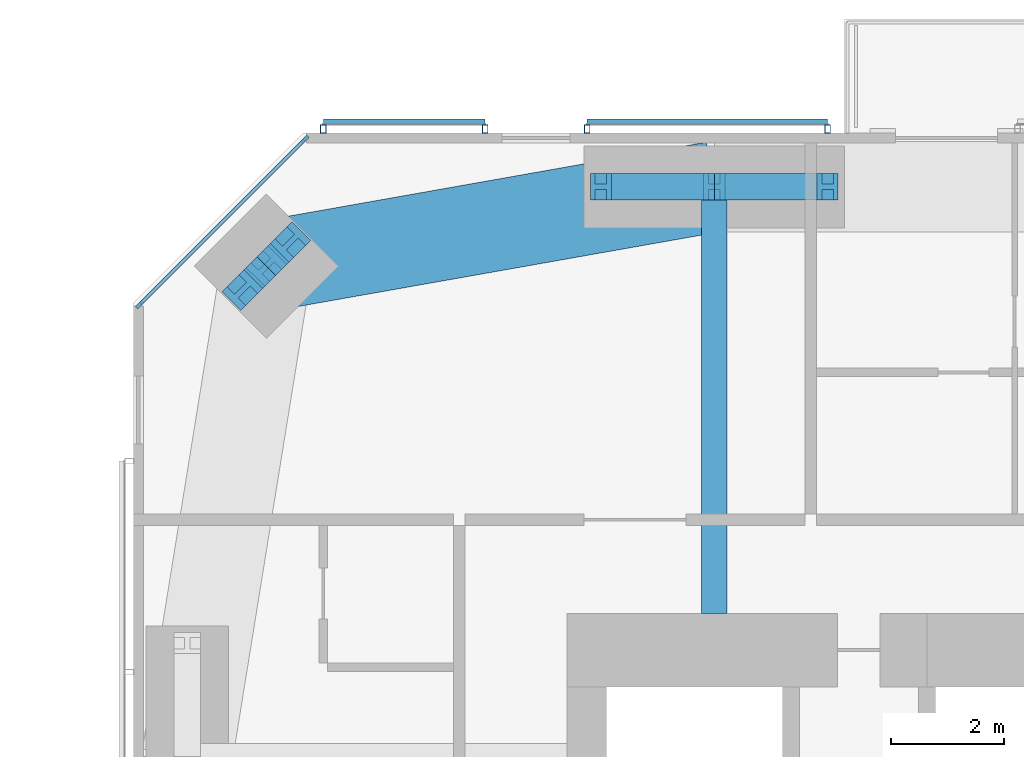
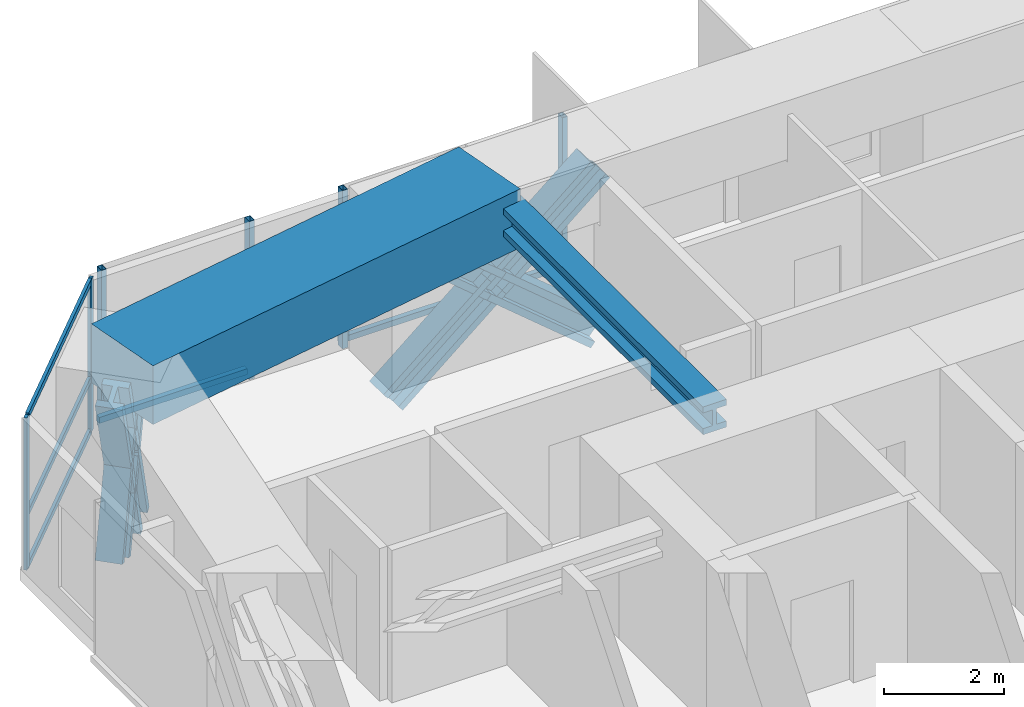
# One storey, part 10 of 22: 19 members, 2 beams, 3 elements without a shape of their own.
"""IFC4 building model written with IfcOpenShell, lengths in metres."""

import ifcopenshell
import ifcopenshell.guid

model = None  # the IFC model being written
_history = None  # IfcOwnerHistory: only IFC2X3 demands one
_inside = {}  # id of a spatial element -> (the spatial element, [elements in it])
_under = {}  # id of a project, library or spatial element -> (it, [spatial elements below it])
_declared = {}  # id of a project -> (the project, [libraries it declares])
_typed = {}  # id of a type object -> (the type object, [elements of that type])
_made_of = {}  # id of a material, layer set ... -> (it, [elements and type objects made of it])


def new_model(schema):
    """Start an empty IFC model of exactly this schema.

    Asked for "IFC4X3", IfcOpenShell would pick the latest addendum, in which some entities
    have other attributes; the version numbers below select the first issue.
    IFC2X3 requires an IfcOwnerHistory on every rooted entity: one is made here for all.
    """
    global model, _history
    if schema == "IFC4X3":
        model = ifcopenshell.file(schema_version=(4, 3, 0, 0))
    else:
        model = ifcopenshell.file(schema=schema)
    _inside.clear()
    _under.clear()
    _declared.clear()
    _typed.clear()
    _made_of.clear()
    _history = None
    if model.schema == "IFC2X3":
        org = make("IfcOrganization", Name="unknown")
        user = make(
            "IfcPersonAndOrganization",
            ThePerson=make("IfcPerson", FamilyName="unknown"),
            TheOrganization=org,
        )
        app = make(
            "IfcApplication",
            ApplicationDeveloper=org,
            Version="unknown",
            ApplicationFullName="unknown",
            ApplicationIdentifier="unknown",
        )
        _history = make(
            "IfcOwnerHistory",
            OwningUser=user,
            OwningApplication=app,
            ChangeAction="ADDED",
            CreationDate=0,
        )
    return model


def make(cls, **values):
    """One entity of the class cls with the attributes given. An attribute that is None is left unset."""
    return model.create_entity(
        cls, **{name: value for name, value in values.items() if value is not None}
    )


def rooted(cls, **values):
    """An entity with a GlobalId (a new one), such as an element, a storey or a relation."""
    return make(cls, GlobalId=ifcopenshell.guid.new(), OwnerHistory=_history, **values)


def si_unit(unit_type, name, prefix=None):
    """IfcSIUnit, for example si_unit("LENGTHUNIT", "METRE", prefix="MILLI")."""
    return make("IfcSIUnit", UnitType=unit_type, Prefix=prefix, Name=name)


def assignment(units):
    """IfcUnitAssignment: the units of a project."""
    return None if units is None else make("IfcUnitAssignment", Units=units)


def point(xyz):
    """IfcCartesianPoint."""
    return None if xyz is None else make("IfcCartesianPoint", Coordinates=xyz)


def direction(xyz):
    """IfcDirection."""
    return None if xyz is None else make("IfcDirection", DirectionRatios=xyz)


def frame(location, z_axis=None, x_axis=None):
    """IfcAxis2Placement3D, a coordinate frame: its origin and axes. An axis left out is left unset."""
    return make(
        "IfcAxis2Placement3D",
        Location=point(location),
        Axis=direction(z_axis),
        RefDirection=direction(x_axis),
    )


def frame_2d(location, x_axis=None):
    """IfcAxis2Placement2D, a coordinate frame in the plane: its origin and x axis."""
    return make(
        "IfcAxis2Placement2D", Location=point(location), RefDirection=direction(x_axis)
    )


def origin():
    """The frame at (0, 0, 0) with its axes left unset."""
    return frame((0.0, 0.0, 0.0))


def origin_2d():
    """The frame at (0, 0) in the plane with its x axis left unset."""
    return frame_2d((0.0, 0.0))


def place(relative_to, where):
    """IfcLocalPlacement: puts the frame where relative to a parent placement (None: the world)."""
    return make(
        "IfcLocalPlacement", PlacementRelTo=relative_to, RelativePlacement=where
    )


def context(
    kind, dimensions, precision=None, world=None, true_north=None, identifier=None
):
    """IfcGeometricRepresentationContext, for example the 3D "Model" context."""
    return make(
        "IfcGeometricRepresentationContext",
        ContextIdentifier=identifier,
        ContextType=kind,
        CoordinateSpaceDimension=dimensions,
        Precision=precision,
        WorldCoordinateSystem=world,
        TrueNorth=true_north,
    )


def subcontext(parent, identifier, kind, view, scale=None):
    """IfcGeometricRepresentationSubContext, for example "Body" below "Model"."""
    return make(
        "IfcGeometricRepresentationSubContext",
        ContextIdentifier=identifier,
        ContextType=kind,
        ParentContext=parent,
        TargetScale=scale,
        TargetView=view,
    )


def project(units=None, contexts=None):
    """IfcProject with its units and contexts."""
    return rooted(
        "IfcProject",
        Name="project",
        RepresentationContexts=contexts,
        UnitsInContext=assignment(units),
    )


def spatial(cls, under=None, at=None, **own):
    """A site, building, storey or space (cls), placed at a placement, below another one or the project."""
    s = rooted(cls, ObjectPlacement=at, **own)
    if under is not None:
        _under.setdefault(under.id(), (under, []))[1].append(s)
    return s


def profile(cls, at=None, kind="AREA", **sizes):
    """A parametric profile (cls). Its sizes go by their IFC names, for example OverallWidth=200.0."""
    return make(cls, ProfileType=kind, Position=at, **sizes)


def rectangle(**sizes):
    """IfcRectangleProfileDef."""
    return profile("IfcRectangleProfileDef", **sizes)


def hollow_rectangle(**sizes):
    """IfcRectangleHollowProfileDef."""
    return profile("IfcRectangleHollowProfileDef", **sizes)


def i_section(**sizes):
    """IfcIShapeProfileDef."""
    return profile("IfcIShapeProfileDef", **sizes)


def extrude(swept, where, along, depth):
    """IfcExtrudedAreaSolid: the profile swept, set in the frame where, extruded along a direction by depth."""
    return make(
        "IfcExtrudedAreaSolid",
        SweptArea=swept,
        Position=where,
        ExtrudedDirection=direction(along),
        Depth=depth,
    )


def shape(context_of_items, identifier, shape_type, items):
    """IfcShapeRepresentation: the items that make up one representation, for example the "Body"."""
    return make(
        "IfcShapeRepresentation",
        ContextOfItems=context_of_items,
        RepresentationIdentifier=identifier,
        RepresentationType=shape_type,
        Items=items,
    )


def material(Name=None, Category=None):
    """IfcMaterial."""
    return make("IfcMaterial", Name=Name, Category=Category)


def material_profile(
    of_material, cross_section, Name=None, Category=None, Priority=None
):
    """IfcMaterialProfile: a cross section and its material."""
    return make(
        "IfcMaterialProfile",
        Name=Name,
        Material=of_material,
        Profile=cross_section,
        Priority=Priority,
        Category=Category,
    )


def profile_set(profiles, Name=None, composite=None):
    """IfcMaterialProfileSet."""
    return make(
        "IfcMaterialProfileSet",
        Name=Name,
        MaterialProfiles=profiles,
        CompositeProfile=composite,
    )


def made_of(thing, what):
    """Note that an element or type object is made of a material, layer set ...; save() writes the relation."""
    if what is not None:
        _made_of.setdefault(what.id(), (what, []))[1].append(thing)
    return thing


def type_object(cls, material=None, **own):
    """A type object (cls), such as IfcWallType, which elements share."""
    return made_of(rooted(cls, **own), material)


def element(
    cls,
    number,
    at=None,
    inside=None,
    cuts=None,
    type_object=None,
    material=None,
    context=None,
    identifier="Body",
    shape_type=None,
    held_by="IfcProductDefinitionShape",
    body=None,
    shapes=None,
    **own,
):
    """One element of the class cls, such as IfcWall. Its Tag is "e" and its number.

    at: its placement. inside: the storey or other place that contains it. cuts: it is an
    opening in that element (IfcRelVoidsElement). A single representation is given by context,
    identifier, shape_type and body (its items); several are given by shapes. held_by: the class
    of the entity that holds the representations. save() writes the other relations.
    """
    e = rooted(cls, Tag="e%d" % number, ObjectPlacement=at, **own)
    if body is not None:
        shapes = [shape(context, identifier, shape_type, body)]
    if shapes is not None:
        e.Representation = make(held_by, Representations=shapes)
    if inside is not None:
        _inside.setdefault(inside.id(), (inside, []))[1].append(e)
    if cuts is not None:
        rooted(
            "IfcRelVoidsElement", RelatingBuildingElement=cuts, RelatedOpeningElement=e
        )
    if type_object is not None:
        _typed.setdefault(type_object.id(), (type_object, []))[1].append(e)
    return made_of(e, material)


def aggregate(whole, parts):
    """IfcRelAggregates: a whole, such as a stair, and the parts it consists of."""
    return rooted("IfcRelAggregates", RelatingObject=whole, RelatedObjects=parts)


def save(model, path):
    """Write the relations noted so far, then the file.

    IfcRelAggregates (storeys below a building ...), IfcRelContainedInSpatialStructure (elements
    in a storey), IfcRelDefinesByType, IfcRelAssociatesMaterial and IfcRelDeclares: one each for
    every whole, place, type object, material and project.
    """
    for whole, parts in _under.values():
        aggregate(whole, parts)
    for where, things in _inside.values():
        rooted(
            "IfcRelContainedInSpatialStructure",
            RelatedElements=things,
            RelatingStructure=where,
        )
    for kind, things in _typed.values():
        rooted("IfcRelDefinesByType", RelatedObjects=things, RelatingType=kind)
    for what, things in _made_of.values():
        rooted("IfcRelAssociatesMaterial", RelatedObjects=things, RelatingMaterial=what)
    for by, libraries in _declared.values():
        rooted("IfcRelDeclares", RelatingContext=by, RelatedDefinitions=libraries)
    model.write(path)


model = new_model("IFC4")

# Units and contexts
model_context = context("Model", 3, precision=1e-05, world=origin(), true_north=direction((0.0, 1.0)))
body_context = subcontext(model_context, "Body", "Model", "MODEL_VIEW")
ifc_project = project(units=[si_unit("LENGTHUNIT", "METRE"), si_unit("AREAUNIT", "SQUARE_METRE"), si_unit("VOLUMEUNIT", "CUBIC_METRE"), si_unit("PLANEANGLEUNIT", "RADIAN"), si_unit("MASSUNIT", "GRAM", prefix="KILO")], contexts=[model_context])

# Site, building, storey
site_placement = place(None, origin())
site = spatial("IfcSite", under=ifc_project, at=site_placement, CompositionType="ELEMENT")
building_placement = place(site_placement, origin())
building = spatial("IfcBuilding", under=site, at=building_placement, Name="Jalousie Tower", CompositionType="ELEMENT")
storey_placement = place(building_placement, frame((0.0, 0.0, 174.449951171875)))
storey = spatial("IfcBuildingStorey", under=building, at=storey_placement, Name="L47", CompositionType="ELEMENT", Elevation=174.449951171875)

# Curtain wall, members
ifc_material_1 = material(Name="Aluminium curtain wall", Category="aluminium")
curtain_wall_type_1 = type_object("IfcCurtainWallType", Name="CORNER WINDOW WALL", PredefinedType="USERDEFINED", material=ifc_material_1)
curtain_wall_1_placement = place(storey_placement, origin())
curtain_wall_1 = element("IfcCurtainWall", 1, at=curtain_wall_1_placement, inside=storey, type_object=curtain_wall_type_1, Name="Corner Window Wall L47 6", ObjectType="CORNER WINDOW WALL", PredefinedType="USERDEFINED")
ifc_material_2 = material(Name="Aluminium mullion", Category="aluminium")
ifc_material_profile_1 = material_profile(ifc_material_2, rectangle(XDim=0.06005859375, YDim=0.14990234375, at=origin_2d()), Name="MULLION 60x150")
ifc_profile_set_1 = profile_set([ifc_material_profile_1], Name="Aluminium mullion")
member_type_1 = type_object("IfcMemberType", Name="CORNER WINDOW WALL MULLION", PredefinedType="MULLION", material=ifc_profile_set_1)
member_1_placement = place(storey_placement, frame((15.030029296875, 35.891357421875, 0.0), z_axis=(0.0, 0.0, 1.0), x_axis=(0.707106781187, -0.707106781187, 0.0)))
member_1 = element("IfcMember", 2, at=member_1_placement, type_object=member_type_1, Name="CW-C mullion 1", PredefinedType="MULLION", context=body_context, shape_type="SweptSolid", body=[
    extrude(rectangle(XDim=0.06005859375, YDim=0.14990234375, at=origin_2d()), origin(), (0.0, 0.0, 1.0), 3.110107421875),
])
member_2_placement = place(storey_placement, frame((12.108642578125, 32.969970703125, 0.0), z_axis=(0.0, 0.0, 1.0), x_axis=(0.707106781187, -0.707106781187, 0.0)))
member_2 = element("IfcMember", 3, at=member_2_placement, type_object=member_type_1, Name="CW-C mullion 2", PredefinedType="MULLION", context=body_context, shape_type="SweptSolid", body=[
    extrude(rectangle(XDim=0.06005859375, YDim=0.14990234375, at=origin_2d()), origin(), (0.0, 0.0, 1.0), 3.110107421875),
])
ifc_material_3 = material(Name="Aluminium transom", Category="aluminium")
ifc_material_profile_2 = material_profile(ifc_material_3, rectangle(XDim=0.06005859375, YDim=0.1201171875, at=origin_2d()), Name="TRANSOM 60x120")
ifc_profile_set_2 = profile_set([ifc_material_profile_2], Name="Aluminium transom")
member_type_2 = type_object("IfcMemberType", Name="CORNER WINDOW WALL TRANSOM", PredefinedType="USERDEFINED", material=ifc_profile_set_2)
member_3_placement = place(storey_placement, frame((15.0087890625, 35.8701171875, 0.030029296875), z_axis=(-0.707106781187, -0.707106781187, 0.0), x_axis=(0.707106781187, -0.707106781187, 0.0)))
member_3 = element("IfcMember", 4, at=member_3_placement, type_object=member_type_2, Name="CW-C transom 1.1", ObjectType="TRANSOM", PredefinedType="USERDEFINED", context=body_context, shape_type="SweptSolid", body=[
    extrude(rectangle(XDim=0.06005859375, YDim=0.1201171875, at=origin_2d()), origin(), (0.0, 0.0, 1.0), 4.0712890625),
])
member_4_placement = place(storey_placement, frame((15.0087890625, 35.8701171875, 1.10009765625), z_axis=(-0.707106781187, -0.707106781187, 0.0), x_axis=(0.707106781187, -0.707106781187, 0.0)))
member_4 = element("IfcMember", 5, at=member_4_placement, type_object=member_type_2, Name="CW-C transom 1.2", ObjectType="TRANSOM", PredefinedType="USERDEFINED", context=body_context, shape_type="SweptSolid", body=[
    extrude(rectangle(XDim=0.06005859375, YDim=0.1201171875, at=origin_2d()), origin(), (0.0, 0.0, 1.0), 4.0712890625),
])
member_5_placement = place(storey_placement, frame((15.0087890625, 35.8701171875, 3.080078125), z_axis=(-0.707106781187, -0.707106781187, 0.0), x_axis=(0.707106781187, -0.707106781187, 0.0)))
member_5 = element("IfcMember", 6, at=member_5_placement, type_object=member_type_2, Name="CW-C transom 1.3", ObjectType="TRANSOM", PredefinedType="USERDEFINED", context=body_context, shape_type="SweptSolid", body=[
    extrude(rectangle(XDim=0.06005859375, YDim=0.1201171875, at=origin_2d()), origin(), (0.0, 0.0, 1.0), 4.0712890625),
])
aggregate(curtain_wall_1, [member_1, member_2, member_3, member_4, member_5])

# Beam
ifc_material_4 = material(Name="Steel ASTM A992 Grade 50", Category="steel")
ifc_material_profile_3 = material_profile(ifc_material_4, i_section(OverallWidth=0.45458984375, OverallDepth=0.569091796875, WebThickness=0.077880859375, FlangeThickness=0.124755859375, at=origin_2d()), Name="W14X730")
ifc_profile_set_3 = profile_set([ifc_material_profile_3], Name="Steel ASTM A992 Grade 50")
beam_type_1 = type_object("IfcBeamType", Name="LEAN COLLECTOR W14X730", PredefinedType="BEAM", material=ifc_profile_set_3)
beam_1_placement = place(storey_placement, frame((22.25, 35.050048828125, 2.825439453125), z_axis=(0.0, -1.0, 0.0), x_axis=(1.0, 0.0, 0.0)))
element("IfcBeam", 7, at=beam_1_placement, inside=storey, type_object=beam_type_1, Name="Lean collector under L48", PredefinedType="BEAM", context=body_context, shape_type="SweptSolid", body=[
    extrude(i_section(OverallWidth=0.45458984375, OverallDepth=0.569091796875, WebThickness=0.077880859375, FlangeThickness=0.124755859375, at=origin_2d()), origin(), (0.0, 0.0, 1.0), 7.525146484375),
])

# Members
ifc_material_5 = material(Name="Steel ASTM A992 Grade 50", Category="steel")
ifc_material_profile_4 = material_profile(ifc_material_5, i_section(OverallWidth=0.472412109375, OverallDepth=0.5791015625, WebThickness=0.094970703125, FlangeThickness=0.1298828125, at=origin_2d()), Name="W14X808")
ifc_profile_set_4 = profile_set([ifc_material_profile_4], Name="Steel ASTM A992 Grade 50")
member_type_3 = type_object("IfcMemberType", Name="PERIMETER BRACE W14X808", PredefinedType="BRACE", material=ifc_profile_set_4)
member_6_placement = place(storey_placement, frame((20.25, 35.050048828125, -0.599853515625), z_axis=(0.766684820047, 0.0, 0.642023665225), x_axis=(0.0, 1.0, 0.0)))
element("IfcMember", 8, at=member_6_placement, inside=storey, type_object=member_type_3, Name="Perimeter brace 11 L47 part 1", PredefinedType="BRACE", context=body_context, shape_type="SweptSolid", body=[
    extrude(i_section(OverallWidth=0.472412109375, OverallDepth=0.5791015625, WebThickness=0.094970703125, FlangeThickness=0.1298828125, at=origin_2d()), origin(), (0.0, 0.0, 1.0), 2.608642578125),
])
member_7_placement = place(storey_placement, frame((22.25, 35.050048828125, 1.074951171875), z_axis=(0.766638753323, 0.0, 0.642078672674), x_axis=(0.0, 1.0, 0.0)))
element("IfcMember", 9, at=member_7_placement, inside=storey, type_object=member_type_3, Name="Perimeter brace 11 L47 part 2", PredefinedType="BRACE", context=body_context, shape_type="SweptSolid", body=[
    extrude(i_section(OverallWidth=0.472412109375, OverallDepth=0.5791015625, WebThickness=0.094970703125, FlangeThickness=0.1298828125, at=origin_2d()), origin(), (0.0, 0.0, 1.0), 2.60888671875),
])
member_8_placement = place(storey_placement, frame((24.25, 35.050048828125, -0.599853515625), z_axis=(-0.766684820047, 0.0, 0.642023665225), x_axis=(0.0, -1.0, 0.0)))
element("IfcMember", 10, at=member_8_placement, inside=storey, type_object=member_type_3, Name="Perimeter brace 11 L47 part 3", PredefinedType="BRACE", context=body_context, shape_type="SweptSolid", body=[
    extrude(i_section(OverallWidth=0.472412109375, OverallDepth=0.5791015625, WebThickness=0.094970703125, FlangeThickness=0.1298828125, at=origin_2d()), origin(), (0.0, 0.0, 1.0), 2.608642578125),
])
member_9_placement = place(storey_placement, frame((22.25, 35.050048828125, 1.074951171875), z_axis=(-0.766638753323, 0.0, 0.642078672674), x_axis=(0.0, -1.0, 0.0)))
element("IfcMember", 11, at=member_9_placement, inside=storey, type_object=member_type_3, Name="Perimeter brace 11 L47 part 4", PredefinedType="BRACE", context=body_context, shape_type="SweptSolid", body=[
    extrude(i_section(OverallWidth=0.472412109375, OverallDepth=0.5791015625, WebThickness=0.094970703125, FlangeThickness=0.1298828125, at=origin_2d()), origin(), (0.0, 0.0, 1.0), 2.60888671875),
])
member_10_placement = place(storey_placement, frame((14.772705078125, 34.07568359375, -0.599853515625), z_axis=(-0.238513569048, -0.238376334543, 0.941428701766), x_axis=(0.706903267951, -0.707310235866, 0.0)))
element("IfcMember", 12, at=member_10_placement, inside=storey, type_object=member_type_3, Name="Perimeter brace 12 L47 part 1", PredefinedType="BRACE", context=body_context, shape_type="SweptSolid", body=[
    extrude(i_section(OverallWidth=0.472412109375, OverallDepth=0.5791015625, WebThickness=0.094970703125, FlangeThickness=0.1298828125, at=origin_2d()), origin(), (0.0, 0.0, 1.0), 1.779052734375),
])
member_11_placement = place(storey_placement, frame((14.348388671875, 33.651611328125, 1.074951171875), z_axis=(-0.238345540878, -0.238482757655, 0.941444303953), x_axis=(0.707310235866, -0.706903267951, 0.0)))
element("IfcMember", 13, at=member_11_placement, inside=storey, type_object=member_type_3, Name="Perimeter brace 12 L47 part 2", PredefinedType="BRACE", context=body_context, shape_type="SweptSolid", body=[
    extrude(i_section(OverallWidth=0.472412109375, OverallDepth=0.5791015625, WebThickness=0.094970703125, FlangeThickness=0.1298828125, at=origin_2d()), origin(), (0.0, 0.0, 1.0), 1.779296875),
])
member_12_placement = place(storey_placement, frame((13.92431640625, 33.227294921875, -0.599853515625), z_axis=(0.238376334543, 0.238513569048, 0.941428701766), x_axis=(-0.707310235866, 0.706903267951, 0.0)))
element("IfcMember", 14, at=member_12_placement, inside=storey, type_object=member_type_3, Name="Perimeter brace 12 L47 part 3", PredefinedType="BRACE", context=body_context, shape_type="SweptSolid", body=[
    extrude(i_section(OverallWidth=0.472412109375, OverallDepth=0.5791015625, WebThickness=0.094970703125, FlangeThickness=0.1298828125, at=origin_2d()), origin(), (0.0, 0.0, 1.0), 1.779052734375),
])
member_13_placement = place(storey_placement, frame((14.348388671875, 33.651611328125, 1.074951171875), z_axis=(0.238482757655, 0.238345540878, 0.941444303953), x_axis=(-0.706903267951, 0.707310235866, 0.0)))
element("IfcMember", 15, at=member_13_placement, inside=storey, type_object=member_type_3, Name="Perimeter brace 12 L47 part 4", PredefinedType="BRACE", context=body_context, shape_type="SweptSolid", body=[
    extrude(i_section(OverallWidth=0.472412109375, OverallDepth=0.5791015625, WebThickness=0.094970703125, FlangeThickness=0.1298828125, at=origin_2d()), origin(), (0.0, 0.0, 1.0), 1.779296875),
])

# Beam
ifc_material_6 = material(Name="Concrete f'c 40 MPa", Category="concrete")
ifc_material_profile_5 = material_profile(ifc_material_6, rectangle(XDim=1.60009765625, YDim=1.199951171875, at=origin_2d()), Name="RC 1600x1200")
ifc_profile_set_5 = profile_set([ifc_material_profile_5], Name="Concrete f'c 40 MPa")
beam_type_2 = type_object("IfcBeamType", Name="RC BEAM 1600x1200", PredefinedType="BEAM", material=ifc_profile_set_5)
beam_2_placement = place(storey_placement, frame((22.25, 35.050048828125, 2.75), z_axis=(-0.984697370688, -0.174273027632, 0.0), x_axis=(0.174273027632, -0.984697370688, 0.0)))
element("IfcBeam", 16, at=beam_2_placement, inside=storey, type_object=beam_type_2, Name="Edge band beam 11-12 under L48", PredefinedType="BEAM", context=body_context, shape_type="SweptSolid", body=[
    extrude(rectangle(XDim=1.60009765625, YDim=1.199951171875, at=origin_2d()), origin(), (0.0, 0.0, 1.0), 8.0244140625),
])

# Curtain wall, members
ifc_material_7 = material(Name="Perforated aluminium sheet", Category="aluminium")
curtain_wall_type_2 = type_object("IfcCurtainWallType", Name="SOLAR SCREEN SS-1", PredefinedType="USERDEFINED", material=ifc_material_7)
curtain_wall_2_placement = place(storey_placement, origin())
curtain_wall_2 = element("IfcCurtainWall", 17, at=curtain_wall_2_placement, inside=storey, type_object=curtain_wall_type_2, Name="Solar screen L47", ObjectType="SOLAR SCREEN SS-1", PredefinedType="USERDEFINED")
ifc_material_8 = material(Name="Steel ASTM A500 Grade C", Category="steel")
ifc_material_profile_6 = material_profile(ifc_material_8, hollow_rectangle(XDim=0.1015625, YDim=0.15234375, WallThickness=0.00634765625, at=origin_2d()), Name="HSS6X4X1/4")
ifc_profile_set_6 = profile_set([ifc_material_profile_6], Name="Steel ASTM A500 Grade C")
member_type_4 = type_object("IfcMemberType", Name="SOLAR SCREEN SS-1 MULLION", PredefinedType="MULLION", material=ifc_profile_set_6)
member_14_placement = place(storey_placement, frame((24.25, 36.0712890625, -0.119873046875), z_axis=(0.0, 0.0, 1.0), x_axis=(-1.0, 0.0, 0.0)))
member_14 = element("IfcMember", 18, at=member_14_placement, type_object=member_type_4, Name="SS1 post 1", PredefinedType="MULLION", context=body_context, shape_type="SweptSolid", body=[
    extrude(hollow_rectangle(XDim=0.1015625, YDim=0.15234375, WallThickness=0.00634765625, at=origin_2d()), origin(), (0.0, 0.0, 1.0), 3.22998046875),
])
member_15_placement = place(storey_placement, frame((20.005615234375, 36.0712890625, -0.119873046875), z_axis=(0.0, 0.0, 1.0), x_axis=(-1.0, 0.0, 0.0)))
member_15 = element("IfcMember", 19, at=member_15_placement, type_object=member_type_4, Name="SS1 post 2", PredefinedType="MULLION", context=body_context, shape_type="SweptSolid", body=[
    extrude(hollow_rectangle(XDim=0.1015625, YDim=0.15234375, WallThickness=0.00634765625, at=origin_2d()), origin(), (0.0, 0.0, 1.0), 3.22998046875),
])

curtain_wall_3_placement = place(storey_placement, origin())
curtain_wall_3 = element("IfcCurtainWall", 20, at=curtain_wall_3_placement, inside=storey, type_object=curtain_wall_type_2, Name="Solar screen L47", ObjectType="SOLAR SCREEN SS-1", PredefinedType="USERDEFINED")
member_16_placement = place(storey_placement, frame((18.20556640625, 36.0712890625, -0.119873046875), z_axis=(0.0, 0.0, 1.0), x_axis=(-1.0, 0.0, 0.0)))
member_16 = element("IfcMember", 21, at=member_16_placement, type_object=member_type_4, Name="SS1 post 1", PredefinedType="MULLION", context=body_context, shape_type="SweptSolid", body=[
    extrude(hollow_rectangle(XDim=0.1015625, YDim=0.15234375, WallThickness=0.00634765625, at=origin_2d()), origin(), (0.0, 0.0, 1.0), 3.22998046875),
])
member_17_placement = place(storey_placement, frame((15.351318359375, 36.0712890625, -0.119873046875), z_axis=(0.0, 0.0, 1.0), x_axis=(-1.0, 0.0, 0.0)))
member_17 = element("IfcMember", 22, at=member_17_placement, type_object=member_type_4, Name="SS1 post 2", PredefinedType="MULLION", context=body_context, shape_type="SweptSolid", body=[
    extrude(hollow_rectangle(XDim=0.1015625, YDim=0.15234375, WallThickness=0.00634765625, at=origin_2d()), origin(), (0.0, 0.0, 1.0), 3.22998046875),
])

# Member
ifc_material_9 = material(Name="Extruded aluminium screen rail", Category="aluminium")
ifc_material_profile_7 = material_profile(ifc_material_9, rectangle(XDim=0.1015625, YDim=0.1201171875, at=origin_2d()), Name="RAIL 102x120")
ifc_profile_set_7 = profile_set([ifc_material_profile_7], Name="Extruded aluminium screen rail")
member_type_5 = type_object("IfcMemberType", Name="SOLAR SCREEN SS-1 TRANSOM", PredefinedType="USERDEFINED", material=ifc_profile_set_7)
member_18_placement = place(storey_placement, frame((24.25, 36.1982421875, -0.06005859375), z_axis=(-1.0, 0.0, 0.0), x_axis=(0.0, -1.0, 0.0)))
member_18 = element("IfcMember", 23, at=member_18_placement, type_object=member_type_5, Name="SS1 rail", ObjectType="TRANSOM", PredefinedType="USERDEFINED", context=body_context, shape_type="SweptSolid", body=[
    extrude(rectangle(XDim=0.1015625, YDim=0.1201171875, at=origin_2d()), origin(), (0.0, 0.0, 1.0), 4.244384765625),
])

aggregate(curtain_wall_2, [member_14, member_15, member_18])

member_19_placement = place(storey_placement, frame((18.20556640625, 36.1982421875, -0.06005859375), z_axis=(-1.0, 0.0, 0.0), x_axis=(0.0, -1.0, 0.0)))
member_19 = element("IfcMember", 24, at=member_19_placement, type_object=member_type_5, Name="SS1 rail", ObjectType="TRANSOM", PredefinedType="USERDEFINED", context=body_context, shape_type="SweptSolid", body=[
    extrude(rectangle(XDim=0.1015625, YDim=0.1201171875, at=origin_2d()), origin(), (0.0, 0.0, 1.0), 2.854248046875),
])

aggregate(curtain_wall_3, [member_16, member_17, member_19])

save(model, "model.ifc")
